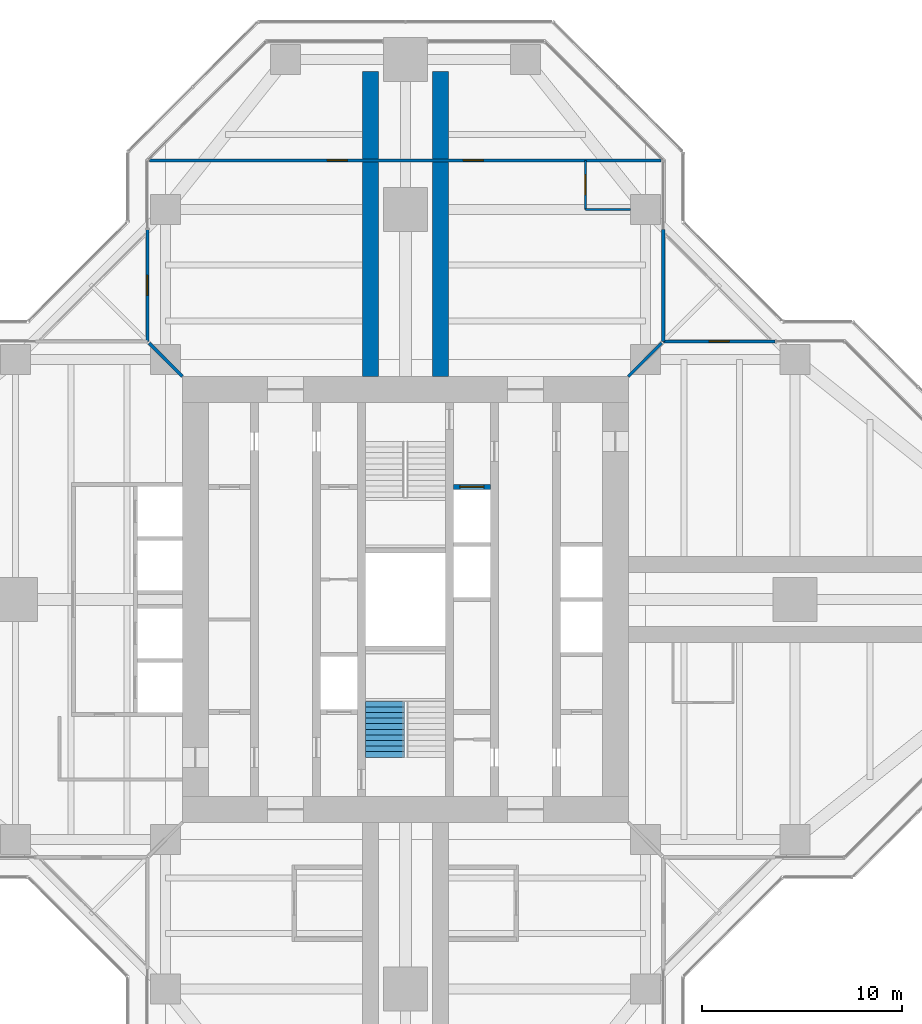
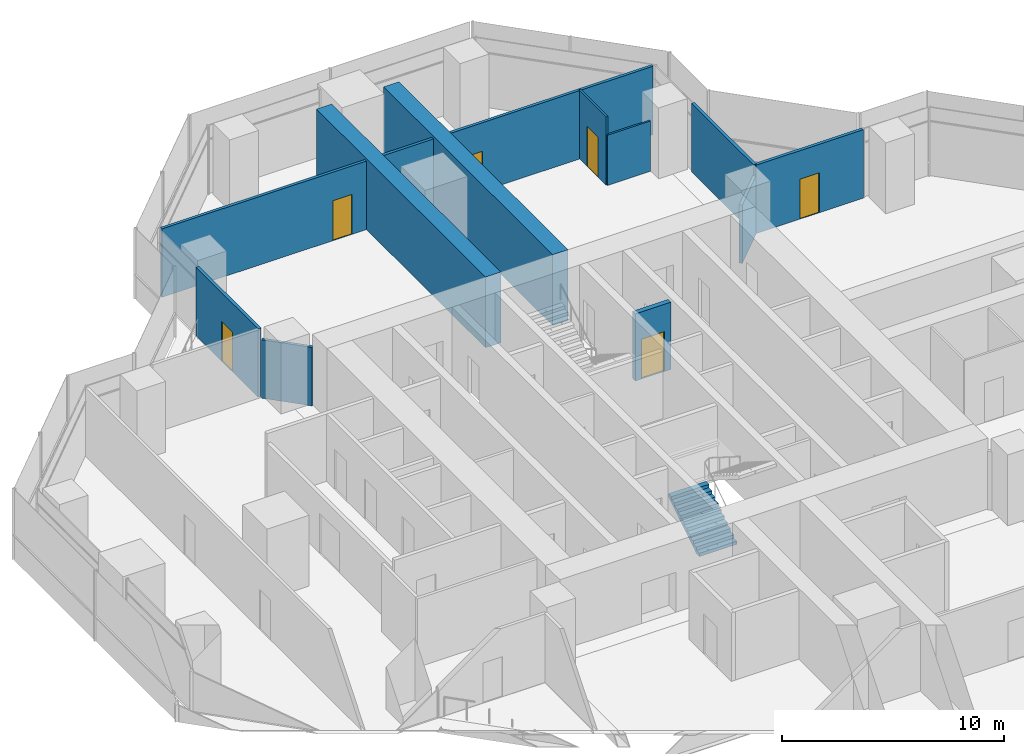
# One storey, part 15 of 17: 11 walls, 6 doors, 1 stair flight, 6 openings, 1 element without a shape of its own.
"""IFC4 building model written with IfcOpenShell, lengths in metres."""

from ifc_helpers import new_model, si_unit, direction, frame, frame_2d, origin, place, context, subcontext, project, spatial, polyline, rectangle, outline, extrude, material, layer, layer_set, type_object, element, fill, aggregate, save


model = new_model("IFC4")

# Units and contexts
model_context = context("Model", 3, precision=1e-05, world=origin(), true_north=direction((0.0, 1.0)))
body_context = subcontext(model_context, "Body", "Model", "MODEL_VIEW")
ifc_project = project(units=[si_unit("LENGTHUNIT", "METRE"), si_unit("AREAUNIT", "SQUARE_METRE"), si_unit("VOLUMEUNIT", "CUBIC_METRE"), si_unit("PLANEANGLEUNIT", "RADIAN"), si_unit("MASSUNIT", "GRAM", prefix="KILO")], contexts=[model_context])

# Site, building, storey
site_placement = place(None, origin())
site = spatial("IfcSite", under=ifc_project, at=site_placement, CompositionType="ELEMENT")
building_placement = place(site_placement, origin())
building = spatial("IfcBuilding", under=site, at=building_placement, Name="Mizan Broadcast Tower", CompositionType="ELEMENT")
storey_placement = place(building_placement, frame((0.0, 0.0, 220.5)))
storey = spatial("IfcBuildingStorey", under=building, at=storey_placement, Name="L51", CompositionType="ELEMENT", Elevation=220.5)

# Wall, opening, door
ifc_material_1 = material(Name="Aluminium framed glazed screen", Category="aluminium")
ifc_layer_1 = layer(ifc_material_1, 0.159912109375)
ifc_layer_set_1 = layer_set([ifc_layer_1], Name="Aluminium framed glazed screen")
wall_type_1 = type_object("IfcWallType", Name="GLAZED SCREEN WALL 160", PredefinedType="SOLIDWALL", material=ifc_layer_set_1)
wall_1_placement = place(storey_placement, frame((18.5, 12.89990234375, 0.0), z_axis=(0.0, 0.0, 1.0), x_axis=(-1.0, 0.0, 0.0)))
wall_1 = element("IfcWall", 1, at=wall_1_placement, inside=storey, type_object=wall_type_1, Name="Winter garden screen L51 E", PredefinedType="SOLIDWALL", context=body_context, shape_type="SweptSolid", body=[
    extrude(rectangle(XDim=5.60009765625, YDim=0.159912109375, at=frame_2d((2.800048828125, 0.0))), origin(), (0.0, 0.0, 1.0), 3.77001953125),
])
opening_1_placement = place(wall_1_placement, frame((2.300048828125, 0.0, 0.0)))
opening_1 = element("IfcOpeningElement", 2, at=opening_1_placement, cuts=wall_1, Name="Opening WGD", PredefinedType="OPENING", context=body_context, shape_type="SweptSolid", body=[
    extrude(rectangle(XDim=1.0, YDim=2.199951171875, at=frame_2d((0.5, 1.10009765625))), frame((0.0, 0.08984375, 0.0), z_axis=(0.0, -1.0, 0.0), x_axis=(1.0, 0.0, 0.0)), (0.0, 0.0, 1.0), 0.179931640625),
])
ifc_material_2 = material(Name="Aluminium framed glazed door", Category="aluminium")
door_type_1 = type_object("IfcDoorType", Name="WINTER GARDEN DOOR 1000 GLAZED", OperationType="SINGLE_SWING_LEFT", PredefinedType="DOOR", material=ifc_material_2)
door_1_placement = place(opening_1_placement, origin())
door_1 = element("IfcDoor", 3, at=door_1_placement, inside=storey, type_object=door_type_1, Name="Winter garden door L51 E", OperationType="SINGLE_SWING_RIGHT", OverallHeight=2.199951171875, OverallWidth=1.0, PredefinedType="DOOR", context=body_context, shape_type="SweptSolid", body=[
    extrude(rectangle(XDim=1.0, YDim=2.199951171875, at=frame_2d((0.5, 1.10009765625))), frame((0.0, 0.02490234375, 0.0), z_axis=(0.0, -1.0, 0.0), x_axis=(1.0, 0.0, 0.0)), (0.0, 0.0, 1.0), 0.050048828125),
])
fill(opening_1, door_1)

# Wall
wall_2_placement = place(storey_placement, frame((12.89990234375, 12.89990234375, 0.0), z_axis=(0.0, 0.0, 1.0), x_axis=(0.0, 1.0, 0.0)))
element("IfcWall", 4, at=wall_2_placement, inside=storey, type_object=wall_type_1, Name="Winter garden screen L51 N", PredefinedType="SOLIDWALL", context=body_context, shape_type="SweptSolid", body=[
    extrude(rectangle(XDim=5.60009765625, YDim=0.159912109375, at=frame_2d((2.800048828125, 0.0))), origin(), (0.0, 0.0, 1.0), 3.77001953125),
])

# Wall, opening, door
wall_3_placement = place(storey_placement, frame((-12.89990234375, 18.5, 0.0), z_axis=(0.0, 0.0, 1.0), x_axis=(0.0, -1.0, 0.0)))
wall_3 = element("IfcWall", 5, at=wall_3_placement, inside=storey, type_object=wall_type_1, Name="Winter garden screen L51 N", PredefinedType="SOLIDWALL", context=body_context, shape_type="SweptSolid", body=[
    extrude(rectangle(XDim=5.60009765625, YDim=0.159912109375, at=frame_2d((2.800048828125, 0.0))), origin(), (0.0, 0.0, 1.0), 3.77001953125),
])
opening_2_placement = place(wall_3_placement, frame((2.300048828125, 0.0, 0.0)))
opening_2 = element("IfcOpeningElement", 6, at=opening_2_placement, cuts=wall_3, Name="Opening WGD", PredefinedType="OPENING", context=body_context, shape_type="SweptSolid", body=[
    extrude(rectangle(XDim=1.0, YDim=2.199951171875, at=frame_2d((0.5, 1.10009765625))), frame((0.0, 0.08984375, 0.0), z_axis=(0.0, -1.0, 0.0), x_axis=(1.0, 0.0, 0.0)), (0.0, 0.0, 1.0), 0.179931640625),
])
door_2_placement = place(opening_2_placement, origin())
door_2 = element("IfcDoor", 7, at=door_2_placement, inside=storey, type_object=door_type_1, Name="Winter garden door L51 N", OperationType="SINGLE_SWING_RIGHT", OverallHeight=2.199951171875, OverallWidth=1.0, PredefinedType="DOOR", context=body_context, shape_type="SweptSolid", body=[
    extrude(rectangle(XDim=1.0, YDim=2.199951171875, at=frame_2d((0.5, 1.10009765625))), frame((0.0, 0.02490234375, 0.0), z_axis=(0.0, -1.0, 0.0), x_axis=(1.0, 0.0, 0.0)), (0.0, 0.0, 1.0), 0.050048828125),
])
fill(opening_2, door_2)

ifc_material_3 = material(Name="Concrete blockwork", Category="masonry")
ifc_layer_2 = layer(ifc_material_3, 0.25)
ifc_layer_set_2 = layer_set([ifc_layer_2], Name="Concrete blockwork")
wall_type_2 = type_object("IfcWallType", Name="LOBBY ENCLOSURE WALL 250", PredefinedType="SOLIDWALL", material=ifc_layer_set_2)
wall_4_placement = place(storey_placement, frame((2.39990234375, 5.625, 0.0), z_axis=(0.0, 0.0, 1.0), x_axis=(1.0, 0.0, 0.0)))
wall_4 = element("IfcWall", 8, at=wall_4_placement, inside=storey, type_object=wall_type_2, Name="Lobby enclosure wall CORE/BE2N", PredefinedType="SOLIDWALL", context=body_context, shape_type="SweptSolid", body=[
    extrude(rectangle(XDim=1.85009765625, YDim=0.25, at=frame_2d((0.925048828125, 0.0))), origin(), (0.0, 0.0, 1.0), 3.699951171875),
])
opening_3_placement = place(wall_4_placement, frame((0.324951171875, 0.0, 0.0)))
opening_3 = element("IfcOpeningElement", 9, at=opening_3_placement, cuts=wall_4, Name="Opening LDF", PredefinedType="OPENING", context=body_context, shape_type="SweptSolid", body=[
    extrude(rectangle(XDim=1.199951171875, YDim=2.199951171875, at=frame_2d((0.60009765625, 1.10009765625))), frame((0.0, 0.135009765625, 0.0), z_axis=(0.0, -1.0, 0.0), x_axis=(1.0, 0.0, 0.0)), (0.0, 0.0, 1.0), 0.27001953125),
])
ifc_material_4 = material(Name="Steel door leaf in steel frame", Category="steel")
door_type_2 = type_object("IfcDoorType", Name="FIREFIGHTING LIFT LANDING DOOR 1200", OperationType="SLIDING_TO_LEFT", PredefinedType="DOOR", material=ifc_material_4)
door_3_placement = place(opening_3_placement, origin())
door_3 = element("IfcDoor", 10, at=door_3_placement, inside=storey, type_object=door_type_2, Name="Landing door FF2", OperationType="SLIDING_TO_LEFT", OverallHeight=2.199951171875, OverallWidth=1.199951171875, PredefinedType="DOOR", context=body_context, shape_type="SweptSolid", body=[
    extrude(rectangle(XDim=1.199951171875, YDim=2.199951171875, at=frame_2d((0.60009765625, 1.10009765625))), frame((0.0, 0.02490234375, 0.0), z_axis=(0.0, -1.0, 0.0), x_axis=(1.0, 0.0, 0.0)), (0.0, 0.0, 1.0), 0.050048828125),
])
fill(opening_3, door_3)

# Wall, openings, doors
ifc_material_5 = material(Name="Gypsum board on steel studs", Category="steel")
ifc_layer_3 = layer(ifc_material_5, 0.14990234375)
ifc_layer_set_3 = layer_set([ifc_layer_3], Name="Gypsum board on steel studs")
wall_type_3 = type_object("IfcWallType", Name="PARTITION 150", PredefinedType="PARTITIONING", material=ifc_layer_set_3)
wall_5_placement = place(storey_placement, frame((12.786376953125, 21.958984375, 0.0), z_axis=(0.0, 0.0, 1.0), x_axis=(-1.0, 0.0, 0.0)))
wall_5 = element("IfcWall", 11, at=wall_5_placement, inside=storey, type_object=wall_type_3, Name="Partition PT/NX1", PredefinedType="PARTITIONING", context=body_context, shape_type="SweptSolid", body=[
    extrude(rectangle(XDim=25.57275390625, YDim=0.14990234375, at=frame_2d((12.786376953125, 0.0))), origin(), (0.0, 0.0, 1.0), 3.77001953125),
])
opening_4_placement = place(wall_5_placement, frame((15.6865234375, 0.0, 0.0)))
opening_4 = element("IfcOpeningElement", 12, at=opening_4_placement, cuts=wall_5, Name="Opening D10", PredefinedType="OPENING", context=body_context, shape_type="SweptSolid", body=[
    extrude(rectangle(XDim=1.0, YDim=2.199951171875, at=frame_2d((0.5, 1.10009765625))), frame((0.0, 0.0849609375, 0.0), z_axis=(0.0, -1.0, 0.0), x_axis=(1.0, 0.0, 0.0)), (0.0, 0.0, 1.0), 0.169921875),
])
opening_5_placement = place(wall_5_placement, frame((8.886474609375, 0.0, 0.0)))
opening_5 = element("IfcOpeningElement", 13, at=opening_5_placement, cuts=wall_5, Name="Opening D10", PredefinedType="OPENING", context=body_context, shape_type="SweptSolid", body=[
    extrude(rectangle(XDim=1.0, YDim=2.199951171875, at=frame_2d((0.5, 1.10009765625))), frame((0.0, 0.0849609375, 0.0), z_axis=(0.0, -1.0, 0.0), x_axis=(1.0, 0.0, 0.0)), (0.0, 0.0, 1.0), 0.169921875),
])
ifc_material_6 = material(Name="Timber door leaf in aluminium frame", Category="wood")
door_type_3 = type_object("IfcDoorType", Name="ROOM DOOR 1000", OperationType="SINGLE_SWING_LEFT", PredefinedType="DOOR", material=ifc_material_6)
door_4_placement = place(opening_4_placement, origin())
door_4 = element("IfcDoor", 14, at=door_4_placement, inside=storey, type_object=door_type_3, Name="Office door", OperationType="SINGLE_SWING_RIGHT", OverallHeight=2.199951171875, OverallWidth=1.0, PredefinedType="DOOR", context=body_context, shape_type="SweptSolid", body=[
    extrude(rectangle(XDim=1.0, YDim=2.199951171875, at=frame_2d((0.5, 1.10009765625))), frame((0.0, 0.02490234375, 0.0), z_axis=(0.0, -1.0, 0.0), x_axis=(1.0, 0.0, 0.0)), (0.0, 0.0, 1.0), 0.050048828125),
])
fill(opening_4, door_4)
door_5_placement = place(opening_5_placement, origin())
door_5 = element("IfcDoor", 15, at=door_5_placement, inside=storey, type_object=door_type_3, Name="Office door", OperationType="SINGLE_SWING_LEFT", OverallHeight=2.199951171875, OverallWidth=1.0, PredefinedType="DOOR", context=body_context, shape_type="SweptSolid", body=[
    extrude(rectangle(XDim=1.0, YDim=2.199951171875, at=frame_2d((0.5, 1.10009765625))), frame((0.0, 0.02490234375, 0.0), z_axis=(0.0, -1.0, 0.0), x_axis=(1.0, 0.0, 0.0)), (0.0, 0.0, 1.0), 0.050048828125),
])
fill(opening_5, door_5)

# Walls
for number, where, z_axis, x_axis, name in (
    (16, (11.14990234375, 11.14990234375, 0.0), (0.0, 0.0, 1.0), (0.707106781187, 0.707106781187, 0.0), "Partition PT/DGEN"),
    (17, (-11.14990234375, 11.14990234375, 0.0), (0.0, 0.0, 1.0), (-0.707106781187, 0.707106781187, 0.0), "Partition PT/DGWN"),
):
    element("IfcWall", number, at=place(storey_placement, frame(where, z_axis=z_axis, x_axis=x_axis)), inside=storey, type_object=wall_type_3, Name=name, PredefinedType="PARTITIONING", context=body_context, shape_type="SweptSolid", body=[
        extrude(rectangle(XDim=2.362060546875, YDim=0.14990234375, at=frame_2d((1.18115234375, 0.0))), origin(), (0.0, 0.0, 1.0), 3.219970703125),
    ])

# Wall, opening, door
ifc_material_7 = material(Name="Glazed aluminium partition on aluminium track", Category="aluminium")
ifc_layer_4 = layer(ifc_material_7, 0.10009765625)
ifc_layer_set_4 = layer_set([ifc_layer_4], Name="Glazed aluminium partition on aluminium track")
wall_type_4 = type_object("IfcWallType", Name="PARTITION GLAZED OFFICE FRONT 100", PredefinedType="PARTITIONING", material=ifc_layer_set_4)
wall_6_placement = place(storey_placement, frame((9.0, 19.5, 0.0), z_axis=(0.0, 0.0, 1.0), x_axis=(0.0, 1.0, 0.0)))
wall_6 = element("IfcWall", 18, at=wall_6_placement, inside=storey, type_object=wall_type_4, Name="Glazed office front PT/NCN0", PredefinedType="PARTITIONING", context=body_context, shape_type="SweptSolid", body=[
    extrude(rectangle(XDim=2.458984375, YDim=0.10009765625, at=frame_2d((1.2294921875, 0.0))), origin(), (0.0, 0.0, 1.0), 3.77001953125),
])
opening_6_placement = place(wall_6_placement, frame((0.7294921875, 0.0, 0.0)))
opening_6 = element("IfcOpeningElement", 19, at=opening_6_placement, cuts=wall_6, Name="Opening D10O", PredefinedType="OPENING", context=body_context, shape_type="SweptSolid", body=[
    extrude(rectangle(XDim=1.0, YDim=2.199951171875, at=frame_2d((0.5, 1.10009765625))), frame((0.0, 0.06005859375, 0.0), z_axis=(0.0, -1.0, 0.0), x_axis=(1.0, 0.0, 0.0)), (0.0, 0.0, 1.0), 0.1201171875),
])
ifc_material_8 = material(Name="Timber door leaf in aluminium frame", Category="wood")
door_type_4 = type_object("IfcDoorType", Name="OFFICE DOOR 1000 GLAZED", OperationType="SINGLE_SWING_LEFT", PredefinedType="DOOR", material=ifc_material_8)
door_6_placement = place(opening_6_placement, origin())
door_6 = element("IfcDoor", 20, at=door_6_placement, inside=storey, type_object=door_type_4, Name="Office door", OperationType="SINGLE_SWING_LEFT", OverallHeight=2.199951171875, OverallWidth=1.0, PredefinedType="DOOR", context=body_context, shape_type="SweptSolid", body=[
    extrude(rectangle(XDim=1.0, YDim=2.199951171875, at=frame_2d((0.5, 1.10009765625))), frame((0.0, 0.02490234375, 0.0), z_axis=(0.0, -1.0, 0.0), x_axis=(1.0, 0.0, 0.0)), (0.0, 0.0, 1.0), 0.050048828125),
])
fill(opening_6, door_6)

# Walls
wall_7_placement = place(storey_placement, frame((9.0, 19.5, 0.0), z_axis=(0.0, 0.0, 1.0), x_axis=(1.0, 0.0, 0.0)))
element("IfcWall", 21, at=wall_7_placement, inside=storey, type_object=wall_type_4, Name="Glazed office front PT/NQN1950", PredefinedType="PARTITIONING", context=body_context, shape_type="SweptSolid", body=[
    extrude(rectangle(XDim=2.25, YDim=0.10009765625, at=frame_2d((1.125, 0.0))), origin(), (0.0, 0.0, 1.0), 2.77001953125),
])
ifc_material_9 = material(Name="Concrete C70/85", Category="concrete")
ifc_layer_5 = layer(ifc_material_9, 0.800048828125)
ifc_layer_set_5 = layer_set([ifc_layer_5], Name="Concrete C70/85")
wall_type_5 = type_object("IfcWallType", Name="SPINE WALL 800", PredefinedType="SHEAR", material=ifc_layer_set_5)
for number, where, z_axis, x_axis, name in (
    (22, (1.75, 11.14990234375, 0.0), (0.0, 0.0, 1.0), (0.0, 1.0, 0.0), "Spine wall NR L51"),
    (23, (-1.75, 11.14990234375, 0.0), (0.0, 0.0, 1.0), (0.0, 1.0, 0.0), "Spine wall NL L51"),
):
    element("IfcWall", number, at=place(storey_placement, frame(where, z_axis=z_axis, x_axis=x_axis)), inside=storey, type_object=wall_type_5, Name=name, PredefinedType="SHEAR", context=body_context, shape_type="SweptSolid", body=[
        extrude(rectangle(XDim=15.25, YDim=0.800048828125, at=frame_2d((7.625, 0.0))), origin(), (0.0, 0.0, 1.0), 3.89990234375),
    ])

# Stair, stair flight
ifc_material_10 = material(Name="Concrete C40/50", Category="concrete")
stair_type = type_object("IfcStairType", Name="EXIT STAIR", PredefinedType="HALF_TURN_STAIR", material=ifc_material_10)
stair_placement = place(storey_placement, origin())
stair = element("IfcStair", 24, at=stair_placement, inside=storey, type_object=stair_type, Name="Stair A L51", PredefinedType="HALF_TURN_STAIR")
ifc_material_11 = material(Name="Concrete C40/50", Category="concrete")
stair_flight_type = type_object("IfcStairFlightType", Name="EXIT STAIR FLIGHT", PredefinedType="STRAIGHT", material=ifc_material_11)
stair_flight_placement = place(storey_placement, frame((-1.02490234375, -7.89990234375, 0.0), z_axis=(0.0, 0.0, 1.0), x_axis=(0.0, 1.0, 0.0)))
stair_flight = element("IfcStairFlight", 25, at=stair_flight_placement, type_object=stair_flight_type, Name="A flight 1", NumberOfRisers=11, NumberOfTreads=10, PredefinedType="STRAIGHT", RiserHeight=0.177272727, TreadLength=0.28, context=body_context, shape_type="SweptSolid", body=[
    extrude(outline(polyline([(0.0, 0.0), (0.0, 0.17724609375), (0.280029296875, 0.17724609375), (0.280029296875, 0.3544921875), (0.56005859375, 0.3544921875), (0.56005859375, 0.53173828125), (0.840087890625, 0.53173828125), (0.840087890625, 0.708984375), (1.1201171875, 0.708984375), (1.1201171875, 0.886474609375), (1.39990234375, 0.886474609375), (1.39990234375, 1.063720703125), (1.679931640625, 1.063720703125), (1.679931640625, 1.240966796875), (1.9599609375, 1.240966796875), (1.9599609375, 1.418212890625), (2.239990234375, 1.418212890625), (2.239990234375, 1.595458984375), (2.52001953125, 1.595458984375), (2.52001953125, 1.772705078125), (2.800048828125, 1.772705078125), (2.800048828125, 1.949951171875), (2.800048828125, 1.59521484375), (0.2802734375, 0.0), (0.0, 0.0)])), frame((0.0, 0.97509765625, 0.0), z_axis=(0.0, -1.0, 0.0), x_axis=(1.0, 0.0, 0.0)), (0.0, 0.0, 1.0), 0.4873046875),
    extrude(outline(polyline([(0.0, 0.0), (0.0, 0.17724609375), (0.280029296875, 0.17724609375), (0.280029296875, 0.3544921875), (0.56005859375, 0.3544921875), (0.56005859375, 0.53173828125), (0.840087890625, 0.53173828125), (0.840087890625, 0.708984375), (1.1201171875, 0.708984375), (1.1201171875, 0.886474609375), (1.39990234375, 0.886474609375), (1.39990234375, 1.063720703125), (1.679931640625, 1.063720703125), (1.679931640625, 1.240966796875), (1.9599609375, 1.240966796875), (1.9599609375, 1.418212890625), (2.239990234375, 1.418212890625), (2.239990234375, 1.595458984375), (2.52001953125, 1.595458984375), (2.52001953125, 1.772705078125), (2.800048828125, 1.772705078125), (2.800048828125, 1.949951171875), (2.800048828125, 1.59521484375), (0.2802734375, 0.0), (0.0, 0.0)])), frame((0.0, 0.4873046875, 0.0), z_axis=(0.0, -1.0, 0.0), x_axis=(1.0, 0.0, 0.0)), (0.0, 0.0, 1.0), 0.2431640625),
    extrude(outline(polyline([(0.0, 0.0), (0.0, 0.17724609375), (0.280029296875, 0.17724609375), (0.280029296875, 0.3544921875), (0.56005859375, 0.3544921875), (0.56005859375, 0.53173828125), (0.840087890625, 0.53173828125), (0.840087890625, 0.708984375), (1.1201171875, 0.708984375), (1.1201171875, 0.886474609375), (1.39990234375, 0.886474609375), (1.39990234375, 1.063720703125), (1.679931640625, 1.063720703125), (1.679931640625, 1.240966796875), (1.9599609375, 1.240966796875), (1.9599609375, 1.418212890625), (2.239990234375, 1.418212890625), (2.239990234375, 1.595458984375), (2.52001953125, 1.595458984375), (2.52001953125, 1.772705078125), (2.800048828125, 1.772705078125), (2.800048828125, 1.949951171875), (2.800048828125, 1.59521484375), (0.2802734375, 0.0), (0.0, 0.0)])), frame((0.0, 0.24365234375, 0.0), z_axis=(0.0, -1.0, 0.0), x_axis=(1.0, 0.0, 0.0)), (0.0, 0.0, 1.0), 0.121337890625),
    extrude(outline(polyline([(0.0, 0.0), (0.0, 0.17724609375), (0.280029296875, 0.17724609375), (0.280029296875, 0.3544921875), (0.56005859375, 0.3544921875), (0.56005859375, 0.53173828125), (0.840087890625, 0.53173828125), (0.840087890625, 0.708984375), (1.1201171875, 0.708984375), (1.1201171875, 0.886474609375), (1.39990234375, 0.886474609375), (1.39990234375, 1.063720703125), (1.679931640625, 1.063720703125), (1.679931640625, 1.240966796875), (1.9599609375, 1.240966796875), (1.9599609375, 1.418212890625), (2.239990234375, 1.418212890625), (2.239990234375, 1.595458984375), (2.52001953125, 1.595458984375), (2.52001953125, 1.772705078125), (2.800048828125, 1.772705078125), (2.800048828125, 1.949951171875), (2.800048828125, 1.59521484375), (0.2802734375, 0.0), (0.0, 0.0)])), frame((0.0, 0.121826171875, 0.0), z_axis=(0.0, -1.0, 0.0), x_axis=(1.0, 0.0, 0.0)), (0.0, 0.0, 1.0), 0.060546875),
    extrude(outline(polyline([(0.0, 0.0), (0.0, 0.17724609375), (0.280029296875, 0.17724609375), (0.280029296875, 0.3544921875), (0.56005859375, 0.3544921875), (0.56005859375, 0.53173828125), (0.840087890625, 0.53173828125), (0.840087890625, 0.708984375), (1.1201171875, 0.708984375), (1.1201171875, 0.886474609375), (1.39990234375, 0.886474609375), (1.39990234375, 1.063720703125), (1.679931640625, 1.063720703125), (1.679931640625, 1.240966796875), (1.9599609375, 1.240966796875), (1.9599609375, 1.418212890625), (2.239990234375, 1.418212890625), (2.239990234375, 1.595458984375), (2.52001953125, 1.595458984375), (2.52001953125, 1.772705078125), (2.800048828125, 1.772705078125), (2.800048828125, 1.949951171875), (2.800048828125, 1.59521484375), (0.2802734375, 0.0), (0.0, 0.0)])), frame((0.0, 0.060791015625, 0.0), z_axis=(0.0, -1.0, 0.0), x_axis=(1.0, 0.0, 0.0)), (0.0, 0.0, 1.0), 0.030029296875),
    extrude(outline(polyline([(0.0, 0.0), (0.0, 0.17724609375), (0.280029296875, 0.17724609375), (0.280029296875, 0.3544921875), (0.56005859375, 0.3544921875), (0.56005859375, 0.53173828125), (0.840087890625, 0.53173828125), (0.840087890625, 0.708984375), (1.1201171875, 0.708984375), (1.1201171875, 0.886474609375), (1.39990234375, 0.886474609375), (1.39990234375, 1.063720703125), (1.679931640625, 1.063720703125), (1.679931640625, 1.240966796875), (1.9599609375, 1.240966796875), (1.9599609375, 1.418212890625), (2.239990234375, 1.418212890625), (2.239990234375, 1.595458984375), (2.52001953125, 1.595458984375), (2.52001953125, 1.772705078125), (2.800048828125, 1.772705078125), (2.800048828125, 1.949951171875), (2.800048828125, 1.59521484375), (0.2802734375, 0.0), (0.0, 0.0)])), frame((0.0, 0.0302734375, 0.0), z_axis=(0.0, -1.0, 0.0), x_axis=(1.0, 0.0, 0.0)), (0.0, 0.0, 1.0), 0.060302734375),
    extrude(outline(polyline([(0.0, 0.0), (0.0, 0.17724609375), (0.280029296875, 0.17724609375), (0.280029296875, 0.3544921875), (0.56005859375, 0.3544921875), (0.56005859375, 0.53173828125), (0.840087890625, 0.53173828125), (0.840087890625, 0.708984375), (1.1201171875, 0.708984375), (1.1201171875, 0.886474609375), (1.39990234375, 0.886474609375), (1.39990234375, 1.063720703125), (1.679931640625, 1.063720703125), (1.679931640625, 1.240966796875), (1.9599609375, 1.240966796875), (1.9599609375, 1.418212890625), (2.239990234375, 1.418212890625), (2.239990234375, 1.595458984375), (2.52001953125, 1.595458984375), (2.52001953125, 1.772705078125), (2.800048828125, 1.772705078125), (2.800048828125, 1.949951171875), (2.800048828125, 1.59521484375), (0.2802734375, 0.0), (0.0, 0.0)])), frame((0.0, -0.030517578125, 0.0), z_axis=(0.0, -1.0, 0.0), x_axis=(1.0, 0.0, 0.0)), (0.0, 0.0, 1.0), 0.030029296875),
    extrude(outline(polyline([(0.0, 0.0), (0.0, 0.17724609375), (0.280029296875, 0.17724609375), (0.280029296875, 0.3544921875), (0.56005859375, 0.3544921875), (0.56005859375, 0.53173828125), (0.840087890625, 0.53173828125), (0.840087890625, 0.708984375), (1.1201171875, 0.708984375), (1.1201171875, 0.886474609375), (1.39990234375, 0.886474609375), (1.39990234375, 1.063720703125), (1.679931640625, 1.063720703125), (1.679931640625, 1.240966796875), (1.9599609375, 1.240966796875), (1.9599609375, 1.418212890625), (2.239990234375, 1.418212890625), (2.239990234375, 1.595458984375), (2.52001953125, 1.595458984375), (2.52001953125, 1.772705078125), (2.800048828125, 1.772705078125), (2.800048828125, 1.949951171875), (2.800048828125, 1.59521484375), (0.2802734375, 0.0), (0.0, 0.0)])), frame((0.0, -0.06103515625, 0.0), z_axis=(0.0, -1.0, 0.0), x_axis=(1.0, 0.0, 0.0)), (0.0, 0.0, 1.0), 0.060546875),
    extrude(outline(polyline([(0.0, 0.0), (0.0, 0.17724609375), (0.280029296875, 0.17724609375), (0.280029296875, 0.3544921875), (0.56005859375, 0.3544921875), (0.56005859375, 0.53173828125), (0.840087890625, 0.53173828125), (0.840087890625, 0.708984375), (1.1201171875, 0.708984375), (1.1201171875, 0.886474609375), (1.39990234375, 0.886474609375), (1.39990234375, 1.063720703125), (1.679931640625, 1.063720703125), (1.679931640625, 1.240966796875), (1.9599609375, 1.240966796875), (1.9599609375, 1.418212890625), (2.239990234375, 1.418212890625), (2.239990234375, 1.595458984375), (2.52001953125, 1.595458984375), (2.52001953125, 1.772705078125), (2.800048828125, 1.772705078125), (2.800048828125, 1.949951171875), (2.800048828125, 1.59521484375), (0.2802734375, 0.0), (0.0, 0.0)])), frame((0.0, -0.1220703125, 0.0), z_axis=(0.0, -1.0, 0.0), x_axis=(1.0, 0.0, 0.0)), (0.0, 0.0, 1.0), 0.121337890625),
    extrude(outline(polyline([(0.0, 0.0), (0.0, 0.17724609375), (0.280029296875, 0.17724609375), (0.280029296875, 0.3544921875), (0.56005859375, 0.3544921875), (0.56005859375, 0.53173828125), (0.840087890625, 0.53173828125), (0.840087890625, 0.708984375), (1.1201171875, 0.708984375), (1.1201171875, 0.886474609375), (1.39990234375, 0.886474609375), (1.39990234375, 1.063720703125), (1.679931640625, 1.063720703125), (1.679931640625, 1.240966796875), (1.9599609375, 1.240966796875), (1.9599609375, 1.418212890625), (2.239990234375, 1.418212890625), (2.239990234375, 1.595458984375), (2.52001953125, 1.595458984375), (2.52001953125, 1.772705078125), (2.800048828125, 1.772705078125), (2.800048828125, 1.949951171875), (2.800048828125, 1.59521484375), (0.2802734375, 0.0), (0.0, 0.0)])), frame((0.0, -0.243896484375, 0.0), z_axis=(0.0, -1.0, 0.0), x_axis=(1.0, 0.0, 0.0)), (0.0, 0.0, 1.0), 0.2431640625),
    extrude(outline(polyline([(0.0, 0.0), (0.0, 0.17724609375), (0.280029296875, 0.17724609375), (0.280029296875, 0.3544921875), (0.56005859375, 0.3544921875), (0.56005859375, 0.53173828125), (0.840087890625, 0.53173828125), (0.840087890625, 0.708984375), (1.1201171875, 0.708984375), (1.1201171875, 0.886474609375), (1.39990234375, 0.886474609375), (1.39990234375, 1.063720703125), (1.679931640625, 1.063720703125), (1.679931640625, 1.240966796875), (1.9599609375, 1.240966796875), (1.9599609375, 1.418212890625), (2.239990234375, 1.418212890625), (2.239990234375, 1.595458984375), (2.52001953125, 1.595458984375), (2.52001953125, 1.772705078125), (2.800048828125, 1.772705078125), (2.800048828125, 1.949951171875), (2.800048828125, 1.59521484375), (0.2802734375, 0.0), (0.0, 0.0)])), frame((0.0, -0.487548828125, 0.0), z_axis=(0.0, -1.0, 0.0), x_axis=(1.0, 0.0, 0.0)), (0.0, 0.0, 1.0), 0.4873046875),
])
aggregate(stair, [stair_flight])

save(model, "model.ifc")
